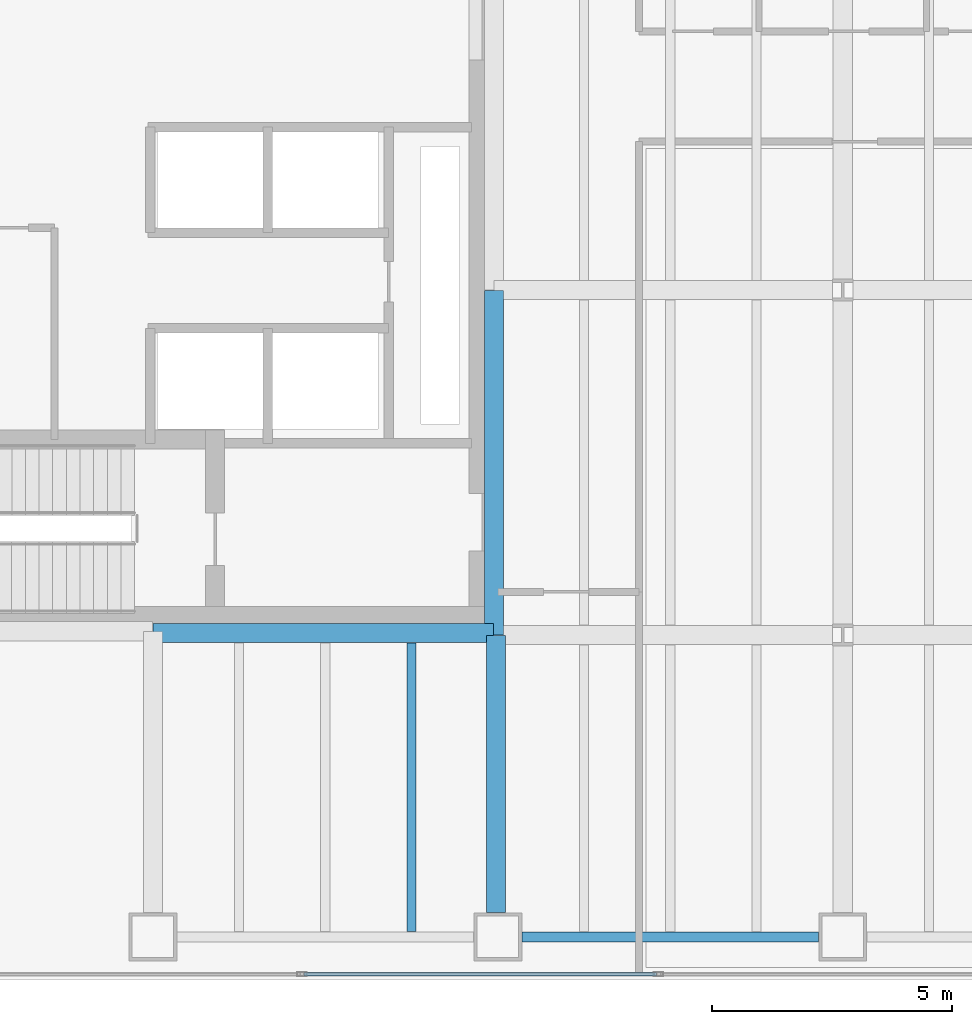
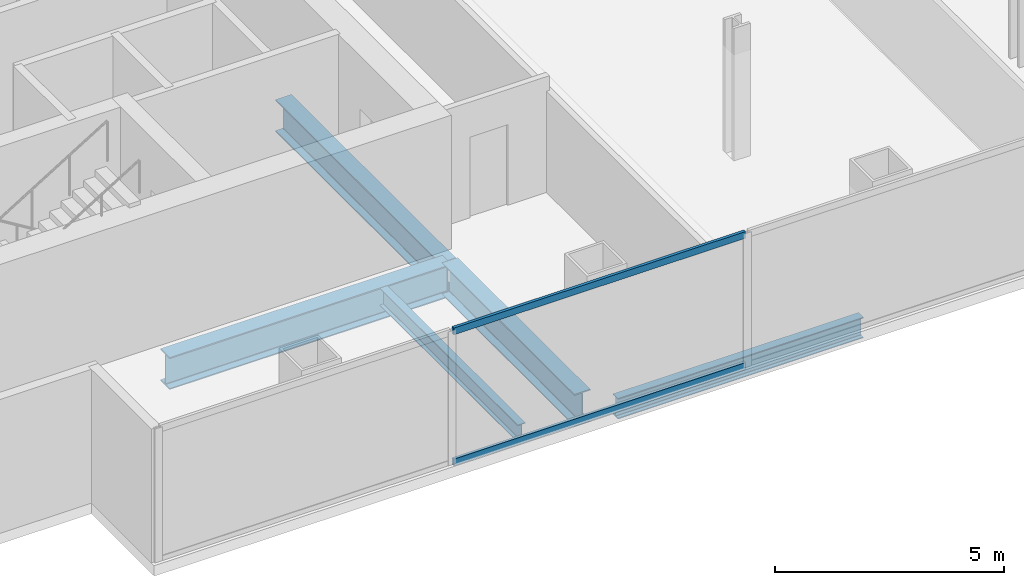
# One storey, part 3 of 24: 5 beams, 2 members, 1 element without a shape of its own.
"""IFC4 building model written with IfcOpenShell, lengths in metres."""

from ifc_helpers import new_model, si_unit, direction, frame, origin, origin_2d, place, context, subcontext, project, spatial, hollow_rectangle, i_section, extrude, material, material_profile, profile_set, type_object, element, aggregate, save


model = new_model("IFC4")

# Units and contexts
model_context = context("Model", 3, precision=1e-05, world=origin(), true_north=direction((0.0, 1.0)))
body_context = subcontext(model_context, "Body", "Model", "MODEL_VIEW")
ifc_project = project(units=[si_unit("LENGTHUNIT", "METRE"), si_unit("AREAUNIT", "SQUARE_METRE"), si_unit("VOLUMEUNIT", "CUBIC_METRE"), si_unit("PLANEANGLEUNIT", "RADIAN"), si_unit("MASSUNIT", "GRAM", prefix="KILO")], contexts=[model_context])

# Site, building, storey
site_placement = place(None, origin())
site = spatial("IfcSite", under=ifc_project, at=site_placement, CompositionType="ELEMENT")
building_placement = place(site_placement, origin())
building = spatial("IfcBuilding", under=site, at=building_placement, Name="Cobrela Telecom Tower", CompositionType="ELEMENT")
storey_placement = place(building_placement, frame((0.0, 0.0, 69.64990234375)))
storey = spatial("IfcBuildingStorey", under=building, at=storey_placement, Name="L17", CompositionType="ELEMENT", Elevation=69.64990234375)

# Beams
ifc_material_1 = material(Name="Steel ASTM A992 Grade 50", Category="steel")
ifc_material_profile_1 = material_profile(ifc_material_1, i_section(OverallWidth=0.39892578125, OverallDepth=0.85595703125, WebThickness=0.018310546875, FlangeThickness=0.029296875, FilletRadius=0.02001953125, at=origin_2d()), Name="W33X201")
ifc_profile_set_1 = profile_set([ifc_material_profile_1], Name="Steel ASTM A992 Grade 50")
beam_type_1 = type_object("IfcBeamType", Name="BM-GIRD-03", PredefinedType="USERDEFINED", material=ifc_profile_set_1)
beam_1_placement = place(storey_placement, frame((7.205078125, 7.239990234375, -0.7080078125), z_axis=(1.0, 0.0, 0.0), x_axis=(0.0, 1.0, 0.0)))
element("IfcBeam", 1, at=beam_1_placement, inside=storey, type_object=beam_type_1, Name="L17 Primary Girder X07", ObjectType="GIRDER", PredefinedType="USERDEFINED", context=body_context, shape_type="SweptSolid", body=[
    extrude(i_section(OverallWidth=0.39892578125, OverallDepth=0.85595703125, WebThickness=0.018310546875, FlangeThickness=0.029296875, FilletRadius=0.02001953125, at=origin_2d()), origin(), (0.0, 0.0, 1.0), 7.10986328125),
])
beam_2_placement = place(storey_placement, frame((14.360107421875, 1.405029296875, -0.7080078125), z_axis=(0.0, 1.0, 0.0), x_axis=(-1.0, 0.0, 0.0)))
element("IfcBeam", 2, at=beam_2_placement, inside=storey, type_object=beam_type_1, Name="L17 Primary Girder Y34", ObjectType="GIRDER", PredefinedType="USERDEFINED", context=body_context, shape_type="SweptSolid", body=[
    extrude(i_section(OverallWidth=0.39892578125, OverallDepth=0.85595703125, WebThickness=0.018310546875, FlangeThickness=0.029296875, FilletRadius=0.02001953125, at=origin_2d()), origin(), (0.0, 0.0, 1.0), 5.7900390625),
])
beam_3_placement = place(storey_placement, frame((14.320068359375, 7.205078125, -0.7080078125), z_axis=(0.0, 1.0, 0.0), x_axis=(-1.0, 0.0, 0.0)))
element("IfcBeam", 3, at=beam_3_placement, inside=storey, type_object=beam_type_1, Name="L17 Primary Girder Y35", ObjectType="GIRDER", PredefinedType="USERDEFINED", context=body_context, shape_type="SweptSolid", body=[
    extrude(i_section(OverallWidth=0.39892578125, OverallDepth=0.85595703125, WebThickness=0.018310546875, FlangeThickness=0.029296875, FilletRadius=0.02001953125, at=origin_2d()), origin(), (0.0, 0.0, 1.0), 7.18994140625),
])
ifc_material_profile_2 = material_profile(ifc_material_1, i_section(OverallWidth=0.193115234375, OverallDepth=0.467041015625, WebThickness=0.011474609375, FlangeThickness=0.01904296875, FilletRadius=0.012939453125, at=origin_2d()), Name="W18X65")
ifc_profile_set_2 = profile_set([ifc_material_profile_2], Name="Steel ASTM A992 Grade 50")
beam_type_2 = type_object("IfcBeamType", Name="BM-JOIST-03", PredefinedType="JOIST", material=ifc_profile_set_2)
beam_4_placement = place(storey_placement, frame((12.60009765625, 1.011474609375, -0.513427734375), z_axis=(0.0, 1.0, 0.0), x_axis=(-1.0, 0.0, 0.0)))
element("IfcBeam", 4, at=beam_4_placement, inside=storey, type_object=beam_type_2, Name="L17 Secondary Composite Floor Beam J05", PredefinedType="JOIST", context=body_context, shape_type="SweptSolid", body=[
    extrude(i_section(OverallWidth=0.193115234375, OverallDepth=0.467041015625, WebThickness=0.011474609375, FlangeThickness=0.01904296875, FilletRadius=0.012939453125, at=origin_2d()), origin(), (0.0, 0.0, 1.0), 6.02392578125),
])
ifc_material_profile_3 = material_profile(ifc_material_1, i_section(OverallWidth=0.212890625, OverallDepth=0.549072265625, WebThickness=0.0146484375, FlangeThickness=0.023681640625, FilletRadius=0.013916015625, at=origin_2d()), Name="W21X93")
ifc_profile_set_3 = profile_set([ifc_material_profile_3], Name="Steel ASTM A992 Grade 50")
beam_type_3 = type_object("IfcBeamType", Name="BM-SPAND-03", PredefinedType="SPANDREL", material=ifc_profile_set_3)
beam_5_placement = place(storey_placement, frame((14.905029296875, 0.89990234375, -0.554443359375), z_axis=(1.0, 0.0, 0.0), x_axis=(0.0, 1.0, 0.0)))
element("IfcBeam", 5, at=beam_5_placement, inside=storey, type_object=beam_type_3, Name="L17 Perimeter Spandrel X02", PredefinedType="SPANDREL", context=body_context, shape_type="SweptSolid", body=[
    extrude(i_section(OverallWidth=0.212890625, OverallDepth=0.549072265625, WebThickness=0.0146484375, FlangeThickness=0.023681640625, FilletRadius=0.013916015625, at=origin_2d()), origin(), (0.0, 0.0, 1.0), 6.18994140625),
])

# Curtain wall, members
ifc_material_2 = material(Name="Anodized Bronze Aluminium 6063-T6", Category="aluminium")
curtain_wall_type = type_object("IfcCurtainWallType", Name="CW-SYS-DATA", PredefinedType="USERDEFINED", material=ifc_material_2)
curtain_wall_placement = place(storey_placement, origin())
curtain_wall = element("IfcCurtainWall", 6, at=curtain_wall_placement, inside=storey, type_object=curtain_wall_type, Name="L17 Unitised Bronze Curtain Wall 17", ObjectType="UNITISED CURTAIN WALL", PredefinedType="USERDEFINED")
ifc_material_profile_4 = material_profile(ifc_material_2, hollow_rectangle(XDim=0.074951171875, YDim=0.179931640625, WallThickness=0.00390625, at=origin_2d()), Name="ALU 75x180x4")
ifc_profile_set_4 = profile_set([ifc_material_profile_4], Name="Anodized Bronze Aluminium 6063-T6")
member_type = type_object("IfcMemberType", Name="CW-SYS-DATA-TRN", PredefinedType="USERDEFINED", material=ifc_profile_set_4)
member_1_placement = place(storey_placement, frame((17.716552734375, 0.1201171875, 0.03759765625), z_axis=(-1.0, 0.0, 0.0), x_axis=(0.0, -1.0, 0.0)))
member_1 = element("IfcMember", 7, at=member_1_placement, type_object=member_type, Name="CW-DATA transom 5.1", ObjectType="TRANSOM", PredefinedType="USERDEFINED", context=body_context, shape_type="SweptSolid", body=[
    extrude(hollow_rectangle(XDim=0.074951171875, YDim=0.179931640625, WallThickness=0.00390625, at=origin_2d()), origin(), (0.0, 0.0, 1.0), 7.36328125),
])
member_2_placement = place(storey_placement, frame((17.716552734375, 0.1201171875, 3.53271484375), z_axis=(-1.0, 0.0, 0.0), x_axis=(0.0, -1.0, 0.0)))
member_2 = element("IfcMember", 8, at=member_2_placement, type_object=member_type, Name="CW-DATA transom 5.2", ObjectType="TRANSOM", PredefinedType="USERDEFINED", context=body_context, shape_type="SweptSolid", body=[
    extrude(hollow_rectangle(XDim=0.074951171875, YDim=0.179931640625, WallThickness=0.00390625, at=origin_2d()), origin(), (0.0, 0.0, 1.0), 7.36328125),
])
aggregate(curtain_wall, [member_1, member_2])

save(model, "model.ifc")
